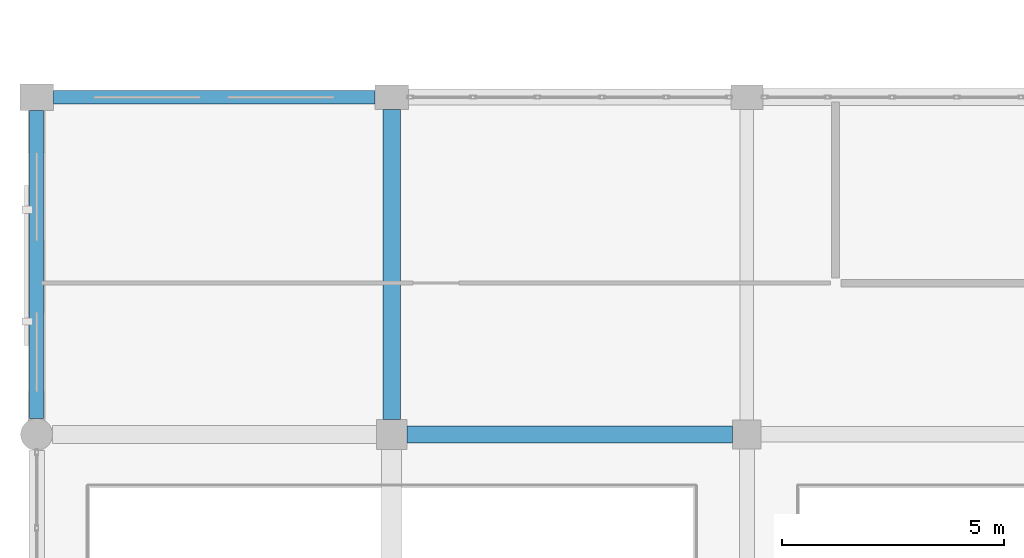
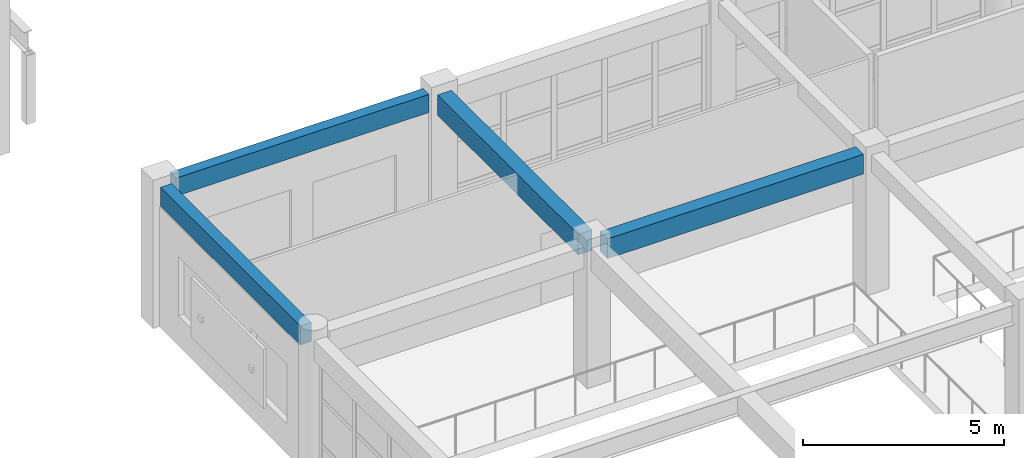
# One storey, part 41 of 160: 4 beams.
"""IFC4 building model written with IfcOpenShell, lengths in metres."""

from ifc_helpers import new_model, si_unit, direction, frame, origin, origin_2d, place, context, subcontext, project, spatial, rectangle, extrude, material, material_profile, profile_set, type_object, element, save


model = new_model("IFC4")

# Units and contexts
model_context = context("Model", 3, precision=1e-05, world=origin(), true_north=direction((0.0, 1.0)))
body_context = subcontext(model_context, "Body", "Model", "MODEL_VIEW")
ifc_project = project(units=[si_unit("LENGTHUNIT", "METRE"), si_unit("AREAUNIT", "SQUARE_METRE"), si_unit("VOLUMEUNIT", "CUBIC_METRE"), si_unit("PLANEANGLEUNIT", "RADIAN"), si_unit("MASSUNIT", "GRAM", prefix="KILO")], contexts=[model_context])

# Site, building, storey
site_placement = place(None, origin())
site = spatial("IfcSite", under=ifc_project, at=site_placement, CompositionType="ELEMENT")
building_placement = place(site_placement, origin())
building = spatial("IfcBuilding", under=site, at=building_placement, Name="Kharva Crest Polytechnic", CompositionType="ELEMENT")
storey_placement = place(building_placement, frame((0.0, 0.0, 4.5)))
storey = spatial("IfcBuildingStorey", under=building, at=storey_placement, Name="L01", CompositionType="ELEMENT", Elevation=4.5)

# Beams
ifc_material = material(Name="Concrete C35/45", Category="concrete")
ifc_material_profile_1 = material_profile(ifc_material, rectangle(XDim=0.3798828125, YDim=0.60009765625, at=origin_2d()), Name="RECT 380 X 600")
ifc_profile_set_1 = profile_set([ifc_material_profile_1], Name="Concrete C35/45")
beam_type_1 = type_object("IfcBeamType", Name="BM-RC-380X600", PredefinedType="BEAM", material=ifc_profile_set_1)
beam_1_placement = place(storey_placement, frame((8.340087890625, 22.800048828125, 3.919921875), z_axis=(1.0, 0.0, 0.0), x_axis=(0.0, 1.0, 0.0)))
element("IfcBeam", 1, at=beam_1_placement, inside=storey, type_object=beam_type_1, Name="L01 Beam D/2-3", PredefinedType="BEAM", context=body_context, shape_type="SweptSolid", body=[
    extrude(rectangle(XDim=0.3798828125, YDim=0.60009765625, at=origin_2d()), origin(), (0.0, 0.0, 1.0), 7.3349609375),
])
ifc_material_profile_2 = material_profile(ifc_material, rectangle(XDim=0.39990234375, YDim=0.6201171875, at=origin_2d()), Name="RECT 400 X 620")
ifc_profile_set_2 = profile_set([ifc_material_profile_2], Name="Concrete C35/45")
beam_type_2 = type_object("IfcBeamType", Name="BM-RC-400X620", PredefinedType="BEAM", material=ifc_profile_set_2)
beam_2_placement = place(storey_placement, frame((8.0, 23.139892578125, 3.909912109375), z_axis=(0.0, 1.0, 0.0), x_axis=(-1.0, 0.0, 0.0)))
element("IfcBeam", 2, at=beam_2_placement, inside=storey, type_object=beam_type_2, Name="L01 Girder 2/D-E", PredefinedType="BEAM", context=body_context, shape_type="SweptSolid", body=[
    extrude(rectangle(XDim=0.39990234375, YDim=0.6201171875, at=origin_2d()), origin(), (0.0, 0.0, 1.0), 6.985107421875),
])
ifc_material_profile_3 = material_profile(ifc_material, rectangle(XDim=0.300048828125, YDim=0.550048828125, at=origin_2d()), Name="RECT 300 X 550")
ifc_profile_set_3 = profile_set([ifc_material_profile_3], Name="Concrete C35/45")
beam_type_3 = type_object("IfcBeamType", Name="SP-RC-300X550", PredefinedType="SPANDREL", material=ifc_profile_set_3)
beam_3_placement = place(storey_placement, frame((0.375, 30.39990234375, 3.945068359375), z_axis=(1.0, 0.0, 0.0), x_axis=(0.0, 1.0, 0.0)))
element("IfcBeam", 3, at=beam_3_placement, inside=storey, type_object=beam_type_3, Name="L01 Beam E/1-2", PredefinedType="SPANDREL", context=body_context, shape_type="SweptSolid", body=[
    extrude(rectangle(XDim=0.300048828125, YDim=0.550048828125, at=origin_2d()), origin(), (0.0, 0.0, 1.0), 7.25),
])
ifc_material_profile_4 = material_profile(ifc_material, rectangle(XDim=0.320068359375, YDim=0.580078125, at=origin_2d()), Name="RECT 320 X 580")
ifc_profile_set_4 = profile_set([ifc_material_profile_4], Name="Concrete C35/45")
beam_type_4 = type_object("IfcBeamType", Name="SP-RC-320X580", PredefinedType="SPANDREL", material=ifc_profile_set_4)
beam_4_placement = place(storey_placement, frame((0.0, 23.159912109375, 3.929931640625), z_axis=(0.0, 1.0, 0.0), x_axis=(-1.0, 0.0, 0.0)))
element("IfcBeam", 4, at=beam_4_placement, inside=storey, type_object=beam_type_4, Name="L01 Girder 1/D-E", PredefinedType="SPANDREL", context=body_context, shape_type="SweptSolid", body=[
    extrude(rectangle(XDim=0.320068359375, YDim=0.580078125, at=origin_2d()), origin(), (0.0, 0.0, 1.0), 6.940185546875),
])

save(model, "model.ifc")
